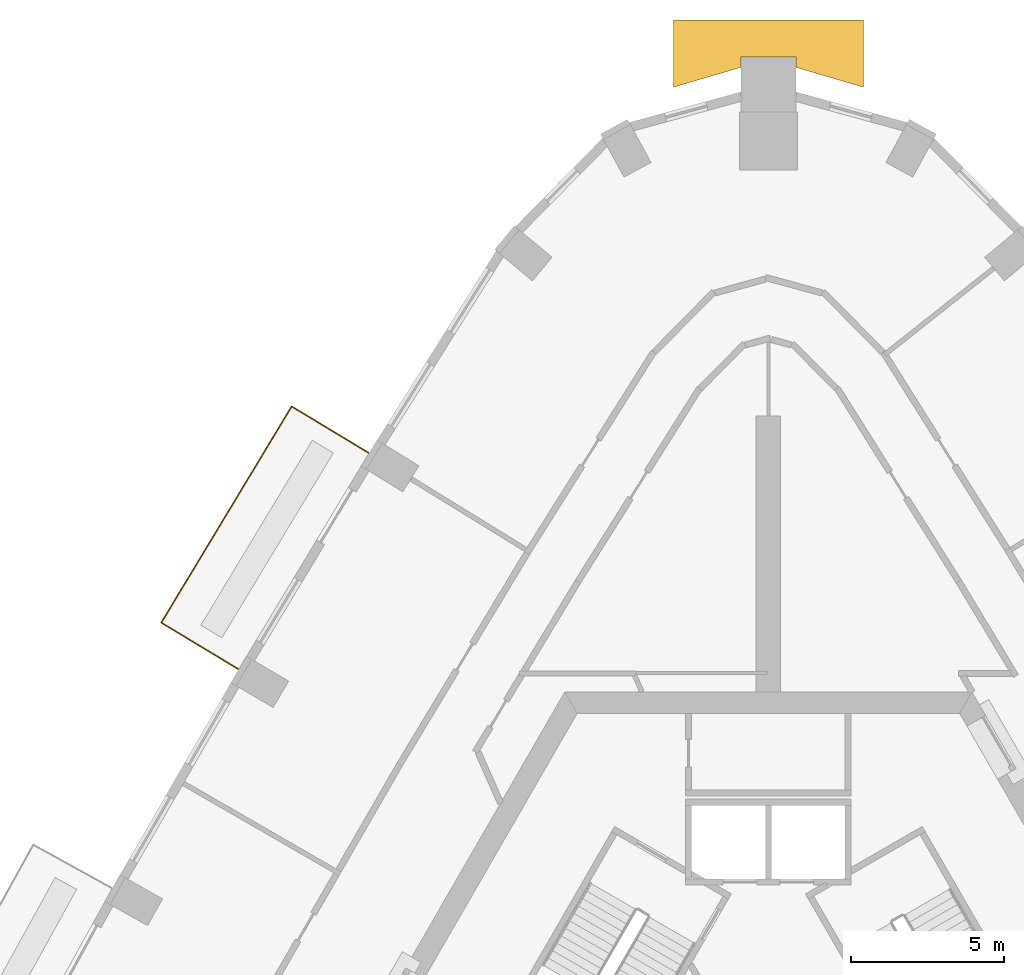
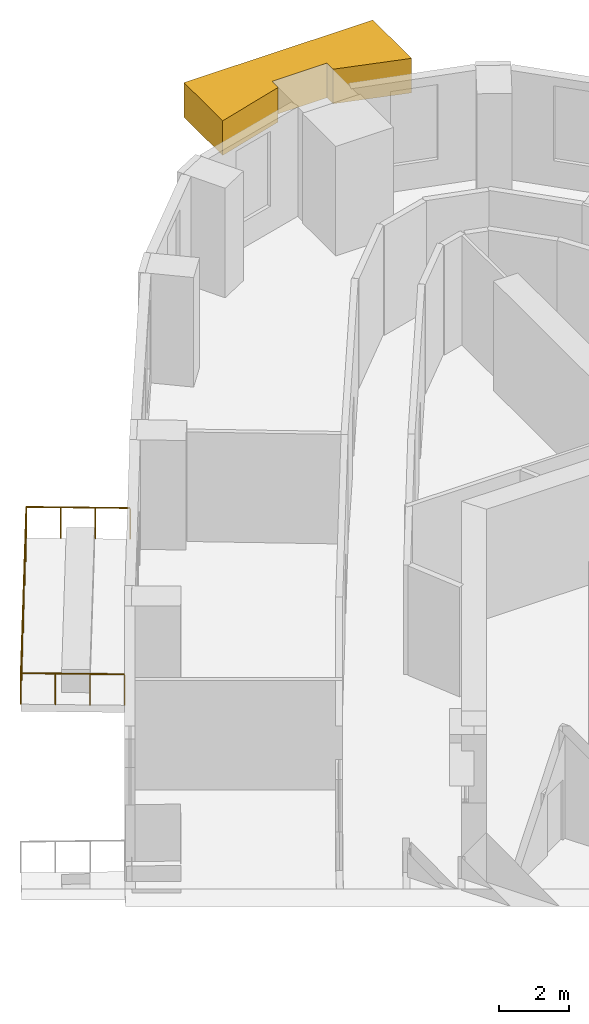
# One storey, part 13 of 13: 1 covering, 1 railing.
"""IFC4 building model written with IfcOpenShell, lengths in metres."""

from ifc_helpers import new_model, si_unit, direction, frame, origin, origin_2d, place, context, subcontext, project, spatial, polyline, circle, outline, extrude, material, type_object, element, save


model = new_model("IFC4")

# Units and contexts
model_context = context("Model", 3, precision=1e-05, world=origin(), true_north=direction((0.0, 1.0)))
body_context = subcontext(model_context, "Body", "Model", "MODEL_VIEW")
ifc_project = project(units=[si_unit("LENGTHUNIT", "METRE"), si_unit("AREAUNIT", "SQUARE_METRE"), si_unit("VOLUMEUNIT", "CUBIC_METRE"), si_unit("PLANEANGLEUNIT", "RADIAN"), si_unit("MASSUNIT", "GRAM", prefix="KILO")], contexts=[model_context])

# Site, building, storey
site_placement = place(None, origin())
site = spatial("IfcSite", under=ifc_project, at=site_placement, CompositionType="ELEMENT")
building_placement = place(site_placement, origin())
building = spatial("IfcBuilding", under=site, at=building_placement, Name="Entoto Arch Interchange Tower", CompositionType="ELEMENT")
storey_placement = place(building_placement, frame((0.0, 0.0, 210.800048828125)))
storey = spatial("IfcBuildingStorey", under=building, at=storey_placement, Name="L47", CompositionType="ELEMENT", Elevation=210.800048828125)

# Railing
ifc_material_1 = material(Name="Stainless steel 1.4301", Category="steel")
railing_type = type_object("IfcRailingType", Name="GUARD 1100 STEEL AND GLASS", PredefinedType="GUARDRAIL", material=ifc_material_1)
railing_placement = place(storey_placement, frame((-13.02490234375, 21.7900390625, 0.0)))
element("IfcRailing", 1, at=railing_placement, inside=storey, type_object=railing_type, Name="Balcony guard NW-02 L47", PredefinedType="GUARDRAIL", context=body_context, shape_type="SweptSolid", body=[
    extrude(circle(Radius=0.02392578125, at=origin_2d()), frame((0.0, 0.0, 1.076171875), z_axis=(-0.856402849076, 0.516308202622, 0.0), x_axis=(-0.516308202622, -0.856402849076, 0.0)), (0.0, 0.0, 1.0), 2.94970703125),
    extrude(circle(Radius=0.02392578125, at=origin_2d()), frame((-2.526123046875, 1.52294921875, 1.076171875), z_axis=(-0.516259346798, -0.856432301378, 0.0), x_axis=(0.856432301378, -0.516259346798, 0.0)), (0.0, 0.0, 1.0), 8.23974609375),
    extrude(circle(Radius=0.02392578125, at=origin_2d()), frame((-6.780029296875, -5.533935546875, 1.076171875), z_axis=(0.85634418058, -0.516405503831, 0.0), x_axis=(0.516405503831, 0.85634418058, 0.0)), (0.0, 0.0, 1.0), 2.94970703125),
    extrude(circle(Radius=0.02099609375, at=origin_2d()), origin(), (0.0, 0.0, 1.0), 1.052001953125),
    extrude(circle(Radius=0.02099609375, at=origin_2d()), frame((-0.842041015625, 0.507568359375, 0.0)), (0.0, 0.0, 1.0), 1.052001953125),
    extrude(circle(Radius=0.02099609375, at=origin_2d()), frame((-1.68408203125, 1.015380859375, 0.0)), (0.0, 0.0, 1.0), 1.052001953125),
    extrude(circle(Radius=0.02099609375, at=origin_2d()), frame((-2.526123046875, 1.52294921875, 0.0)), (0.0, 0.0, 1.0), 1.052001953125),
    extrude(circle(Radius=0.02099609375, at=origin_2d()), frame((-3.1337890625, 0.514892578125, 0.0)), (0.0, 0.0, 1.0), 1.052001953125),
    extrude(circle(Radius=0.02099609375, at=origin_2d()), frame((-3.741455078125, -0.493408203125, 0.0)), (0.0, 0.0, 1.0), 1.052001953125),
    extrude(circle(Radius=0.02099609375, at=origin_2d()), frame((-4.34912109375, -1.50146484375, 0.0)), (0.0, 0.0, 1.0), 1.052001953125),
    extrude(circle(Radius=0.02099609375, at=origin_2d()), frame((-4.95703125, -2.509521484375, 0.0)), (0.0, 0.0, 1.0), 1.052001953125),
    extrude(circle(Radius=0.02099609375, at=origin_2d()), frame((-5.564697265625, -3.517578125, 0.0)), (0.0, 0.0, 1.0), 1.052001953125),
    extrude(circle(Radius=0.02099609375, at=origin_2d()), frame((-6.17236328125, -4.52587890625, 0.0)), (0.0, 0.0, 1.0), 1.052001953125),
    extrude(circle(Radius=0.02099609375, at=origin_2d()), frame((-6.780029296875, -5.533935546875, 0.0)), (0.0, 0.0, 1.0), 1.052001953125),
    extrude(circle(Radius=0.02099609375, at=origin_2d()), frame((-5.93798828125, -6.041748046875, 0.0)), (0.0, 0.0, 1.0), 1.052001953125),
    extrude(circle(Radius=0.02099609375, at=origin_2d()), frame((-5.09619140625, -6.54931640625, 0.0)), (0.0, 0.0, 1.0), 1.052001953125),
    extrude(circle(Radius=0.02099609375, at=origin_2d()), frame((-4.254150390625, -7.05712890625, 0.0)), (0.0, 0.0, 1.0), 1.052001953125),
])

# Covering
ifc_material_2 = material(Name="Board-marked precast concrete C50/60", Category="concrete")
covering_type = type_object("IfcCoveringType", Name="PRECAST FRAME COURSE", PredefinedType="CLADDING", material=ifc_material_2)
covering_placement = place(storey_placement, frame((0.0, 0.0, 2.599853515625)))
element("IfcCovering", 2, at=covering_placement, inside=storey, type_object=covering_type, Name="Corner pilaster head N L45-L47", PredefinedType="CLADDING", context=body_context, shape_type="SweptSolid", body=[
    extrude(outline(polyline([(-3.10009765625, 35.9150390625), (3.10009765625, 35.9150390625), (3.10009765625, 33.720947265625), (0.89990234375, 34.367919921875), (0.89990234375, 34.715087890625), (-0.89990234375, 34.715087890625), (-0.89990234375, 34.367919921875), (-3.10009765625, 33.720947265625), (-3.10009765625, 35.9150390625)])), origin(), (0.0, 0.0, 1.0), 1.2001953125),
])

save(model, "model.ifc")
